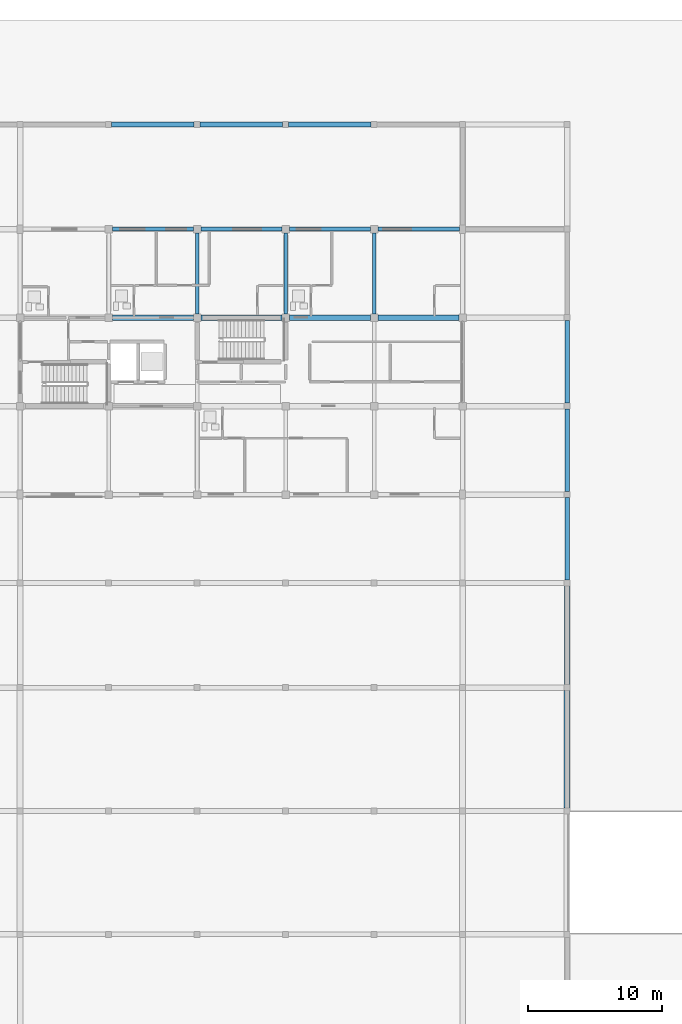
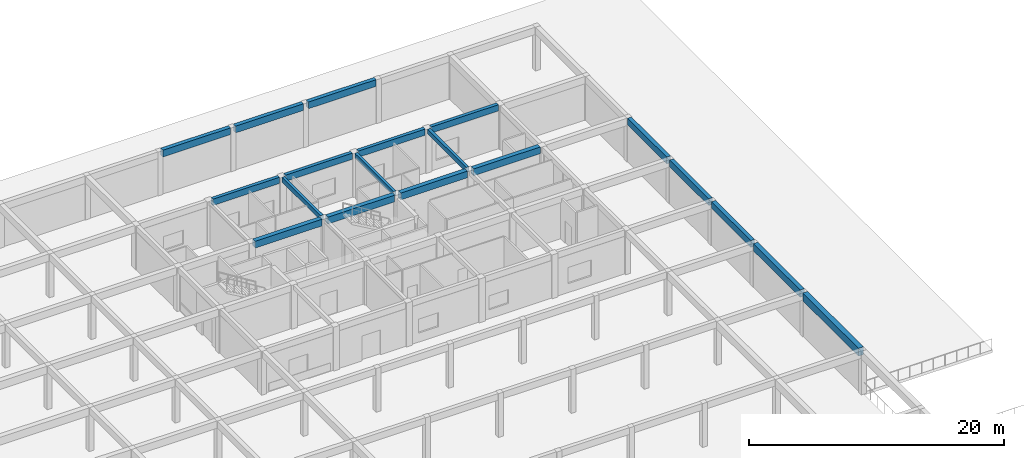
# One storey, part 43 of 75: 19 beams.
"""IFC4 building model written with IfcOpenShell, lengths in metres."""

from ifc_helpers import new_model, si_unit, direction, frame, origin, origin_2d, place, context, subcontext, project, spatial, rectangle, extrude, material, material_profile, profile_set, type_object, element, save


model = new_model("IFC4")

# Units and contexts
model_context = context("Model", 3, precision=1e-05, world=origin(), true_north=direction((0.0, 1.0)))
body_context = subcontext(model_context, "Body", "Model", "MODEL_VIEW")
ifc_project = project(units=[si_unit("LENGTHUNIT", "METRE"), si_unit("AREAUNIT", "SQUARE_METRE"), si_unit("VOLUMEUNIT", "CUBIC_METRE"), si_unit("PLANEANGLEUNIT", "RADIAN"), si_unit("MASSUNIT", "GRAM", prefix="KILO")], contexts=[model_context])

# Site, building, storey
site_placement = place(None, origin())
site = spatial("IfcSite", under=ifc_project, at=site_placement, CompositionType="ELEMENT")
building_placement = place(site_placement, origin())
building = spatial("IfcBuilding", under=site, at=building_placement, Name="Kernevlak Ridge Housing Community", CompositionType="ELEMENT")
storey_placement = place(building_placement, origin())
storey = spatial("IfcBuildingStorey", under=building, at=storey_placement, Name="L00", CompositionType="ELEMENT", Elevation=0.0)

# Beams
ifc_material = material(Name="Concrete C35/45", Category="concrete")
ifc_material_profile_1 = material_profile(ifc_material, rectangle(XDim=0.39990234375, YDim=0.699951171875, at=origin_2d()), Name="RC 400x700")
ifc_profile_set_1 = profile_set([ifc_material_profile_1], Name="Concrete C35/45")
beam_type_1 = type_object("IfcBeamType", Name="B-01", PredefinedType="BEAM", material=ifc_profile_set_1)
beam_1_placement = place(storey_placement, frame((160.199951171875, 68.425048828125, 3.85009765625), z_axis=(0.0, 1.0, 0.0), x_axis=(-1.0, 0.0, 0.0)))
element("IfcBeam", 1, at=beam_1_placement, inside=storey, type_object=beam_type_1, Name="Beam B-01 L00 2396", PredefinedType="BEAM", context=body_context, shape_type="SweptSolid", body=[
    extrude(rectangle(XDim=0.39990234375, YDim=0.699951171875, at=origin_2d()), origin(), (0.0, 0.0, 1.0), 7.349853515625),
])
ifc_material_profile_2 = material_profile(ifc_material, rectangle(XDim=0.35009765625, YDim=0.64990234375, at=origin_2d()), Name="RC 350x650")
ifc_profile_set_2 = profile_set([ifc_material_profile_2], Name="Concrete C35/45")
beam_type_2 = type_object("IfcBeamType", Name="B-02", PredefinedType="BEAM", material=ifc_profile_set_2)
beam_2_placement = place(storey_placement, frame((126.22509765625, 110.199951171875, 3.875), z_axis=(1.0, 0.0, 0.0), x_axis=(0.0, 1.0, 0.0)))
element("IfcBeam", 2, at=beam_2_placement, inside=storey, type_object=beam_type_2, Name="Beam B-02 L00 2264", PredefinedType="BEAM", context=body_context, shape_type="SweptSolid", body=[
    extrude(rectangle(XDim=0.35009765625, YDim=0.64990234375, at=origin_2d()), origin(), (0.0, 0.0, 1.0), 6.14990234375),
])
beam_3_placement = place(storey_placement, frame((132.824951171875, 110.199951171875, 3.875), z_axis=(1.0, 0.0, 0.0), x_axis=(0.0, 1.0, 0.0)))
element("IfcBeam", 3, at=beam_3_placement, inside=storey, type_object=beam_type_2, Name="Beam B-02 L00 2265", PredefinedType="BEAM", context=body_context, shape_type="SweptSolid", body=[
    extrude(rectangle(XDim=0.35009765625, YDim=0.64990234375, at=origin_2d()), origin(), (0.0, 0.0, 1.0), 6.150146484375),
])
for number, where, z_axis, x_axis, name in (
    (4, (139.425048828125, 110.199951171875, 3.875), (1.0, 0.0, 0.0), (0.0, 1.0, 0.0), "Beam B-02 L00 2266"),
    (5, (160.199951171875, 76.22509765625, 3.875), (0.0, 1.0, 0.0), (-1.0, 0.0, 0.0), "Beam B-02 L00 2397"),
):
    element("IfcBeam", number, at=place(storey_placement, frame(where, z_axis=z_axis, x_axis=x_axis)), inside=storey, type_object=beam_type_2, Name=name, PredefinedType="BEAM", context=body_context, shape_type="SweptSolid", body=[
        extrude(rectangle(XDim=0.35009765625, YDim=0.64990234375, at=origin_2d()), origin(), (0.0, 0.0, 1.0), 6.14990234375),
    ])
beam_4_placement = place(storey_placement, frame((160.199951171875, 82.824951171875, 3.875), z_axis=(0.0, 1.0, 0.0), x_axis=(-1.0, 0.0, 0.0)))
element("IfcBeam", 6, at=beam_4_placement, inside=storey, type_object=beam_type_2, Name="Beam B-02 L00 2398", PredefinedType="BEAM", context=body_context, shape_type="SweptSolid", body=[
    extrude(rectangle(XDim=0.35009765625, YDim=0.64990234375, at=origin_2d()), origin(), (0.0, 0.0, 1.0), 6.150146484375),
])
beam_5_placement = place(storey_placement, frame((160.199951171875, 89.425048828125, 3.875), z_axis=(0.0, 1.0, 0.0), x_axis=(-1.0, 0.0, 0.0)))
element("IfcBeam", 7, at=beam_5_placement, inside=storey, type_object=beam_type_2, Name="Beam B-02 L00 2399", PredefinedType="BEAM", context=body_context, shape_type="SweptSolid", body=[
    extrude(rectangle(XDim=0.35009765625, YDim=0.64990234375, at=origin_2d()), origin(), (0.0, 0.0, 1.0), 6.14990234375),
])
ifc_material_profile_3 = material_profile(ifc_material, rectangle(XDim=0.39990234375, YDim=0.64990234375, at=origin_2d()), Name="RC 400x650")
ifc_profile_set_3 = profile_set([ifc_material_profile_3], Name="Concrete C35/45")
beam_type_3 = type_object("IfcBeamType", Name="B-03", PredefinedType="T_BEAM", material=ifc_profile_set_3)
for number, where, z_axis, x_axis, name in (
    (8, (126.27490234375, 95.800048828125, 3.875), (1.0, 0.0, 0.0), (0.0, 1.0, 0.0), "Beam B-03 L00 568"),
    (9, (132.875, 95.800048828125, 3.875), (1.0, 0.0, 0.0), (0.0, 1.0, 0.0), "Beam B-03 L00 569"),
):
    element("IfcBeam", number, at=place(storey_placement, frame(where, z_axis=z_axis, x_axis=x_axis)), inside=storey, type_object=beam_type_3, Name=name, PredefinedType="T_BEAM", context=body_context, shape_type="SweptSolid", body=[
        extrude(rectangle(XDim=0.39990234375, YDim=0.64990234375, at=origin_2d()), origin(), (0.0, 0.0, 1.0), 6.050048828125),
    ])
beam_6_placement = place(storey_placement, frame((139.47509765625, 95.800048828125, 3.875), z_axis=(1.0, 0.0, 0.0), x_axis=(0.0, 1.0, 0.0)))
element("IfcBeam", 10, at=beam_6_placement, inside=storey, type_object=beam_type_3, Name="Beam B-03 L00 570", PredefinedType="T_BEAM", context=body_context, shape_type="SweptSolid", body=[
    extrude(rectangle(XDim=0.39990234375, YDim=0.64990234375, at=origin_2d()), origin(), (0.0, 0.0, 1.0), 6.0498046875),
])
beam_7_placement = place(storey_placement, frame((146.074951171875, 95.800048828125, 3.875), z_axis=(1.0, 0.0, 0.0), x_axis=(0.0, 1.0, 0.0)))
element("IfcBeam", 11, at=beam_7_placement, inside=storey, type_object=beam_type_3, Name="Beam B-03 L00 571", PredefinedType="T_BEAM", context=body_context, shape_type="SweptSolid", body=[
    extrude(rectangle(XDim=0.39990234375, YDim=0.64990234375, at=origin_2d()), origin(), (0.0, 0.0, 1.0), 6.050048828125),
])
ifc_material_profile_4 = material_profile(ifc_material, rectangle(XDim=0.25, YDim=0.449951171875, at=origin_2d()), Name="RC 250x450")
ifc_profile_set_4 = profile_set([ifc_material_profile_4], Name="Concrete C35/45")
beam_type_4 = type_object("IfcBeamType", Name="B-04", PredefinedType="T_BEAM", material=ifc_profile_set_4)
for number, where, z_axis, x_axis, name in (
    (12, (132.60009765625, 96.074951171875, 3.97509765625), (0.0, 1.0, 0.0), (-1.0, 0.0, 0.0), "Beam B-04 L00 584"),
    (13, (139.199951171875, 96.074951171875, 3.97509765625), (0.0, 1.0, 0.0), (-1.0, 0.0, 0.0), "Beam B-04 L00 586"),
    (14, (145.800048828125, 96.074951171875, 3.97509765625), (0.0, 1.0, 0.0), (-1.0, 0.0, 0.0), "Beam B-04 L00 589"),
):
    element("IfcBeam", number, at=place(storey_placement, frame(where, z_axis=z_axis, x_axis=x_axis)), inside=storey, type_object=beam_type_4, Name=name, PredefinedType="T_BEAM", context=body_context, shape_type="SweptSolid", body=[
        extrude(rectangle(XDim=0.25, YDim=0.449951171875, at=origin_2d()), origin(), (0.0, 0.0, 1.0), 6.050048828125),
    ])
ifc_material_profile_5 = material_profile(ifc_material, rectangle(XDim=0.449951171875, YDim=0.75, at=origin_2d()), Name="RC 450x750")
ifc_profile_set_5 = profile_set([ifc_material_profile_5], Name="Concrete C35/45")
beam_type_5 = type_object("IfcBeamType", Name="B-05", PredefinedType="BEAM", material=ifc_profile_set_5)
beam_8_placement = place(storey_placement, frame((160.199951171875, 59.22509765625, 3.824951171875), z_axis=(0.0, 1.0, 0.0), x_axis=(-1.0, 0.0, 0.0)))
element("IfcBeam", 15, at=beam_8_placement, inside=storey, type_object=beam_type_5, Name="Beam B-05 L00 2395", PredefinedType="BEAM", context=body_context, shape_type="SweptSolid", body=[
    extrude(rectangle(XDim=0.449951171875, YDim=0.75, at=origin_2d()), origin(), (0.0, 0.0, 1.0), 8.75),
])
ifc_material_profile_6 = material_profile(ifc_material, rectangle(XDim=0.300048828125, YDim=0.60009765625, at=origin_2d()), Name="RC 300x600")
ifc_profile_set_6 = profile_set([ifc_material_profile_6], Name="Concrete C35/45")
beam_type_6 = type_object("IfcBeamType", Name="SP-02", PredefinedType="SPANDREL", material=ifc_profile_set_6)
for number, where, z_axis, x_axis, name in (
    (16, (126.27490234375, 102.39990234375, 3.89990234375), (1.0, 0.0, 0.0), (0.0, 1.0, 0.0), "Beam SP-02 L00 573"),
    (17, (132.875, 102.39990234375, 3.89990234375), (1.0, 0.0, 0.0), (0.0, 1.0, 0.0), "Beam SP-02 L00 574"),
):
    element("IfcBeam", number, at=place(storey_placement, frame(where, z_axis=z_axis, x_axis=x_axis)), inside=storey, type_object=beam_type_6, Name=name, PredefinedType="SPANDREL", context=body_context, shape_type="SweptSolid", body=[
        extrude(rectangle(XDim=0.300048828125, YDim=0.60009765625, at=origin_2d()), origin(), (0.0, 0.0, 1.0), 6.050048828125),
    ])
beam_9_placement = place(storey_placement, frame((139.47509765625, 102.39990234375, 3.89990234375), z_axis=(1.0, 0.0, 0.0), x_axis=(0.0, 1.0, 0.0)))
element("IfcBeam", 18, at=beam_9_placement, inside=storey, type_object=beam_type_6, Name="Beam SP-02 L00 575", PredefinedType="SPANDREL", context=body_context, shape_type="SweptSolid", body=[
    extrude(rectangle(XDim=0.300048828125, YDim=0.60009765625, at=origin_2d()), origin(), (0.0, 0.0, 1.0), 6.0498046875),
])
beam_10_placement = place(storey_placement, frame((146.074951171875, 102.39990234375, 3.89990234375), z_axis=(1.0, 0.0, 0.0), x_axis=(0.0, 1.0, 0.0)))
element("IfcBeam", 19, at=beam_10_placement, inside=storey, type_object=beam_type_6, Name="Beam SP-02 L00 576", PredefinedType="SPANDREL", context=body_context, shape_type="SweptSolid", body=[
    extrude(rectangle(XDim=0.300048828125, YDim=0.60009765625, at=origin_2d()), origin(), (0.0, 0.0, 1.0), 6.10009765625),
])

save(model, "model.ifc")
